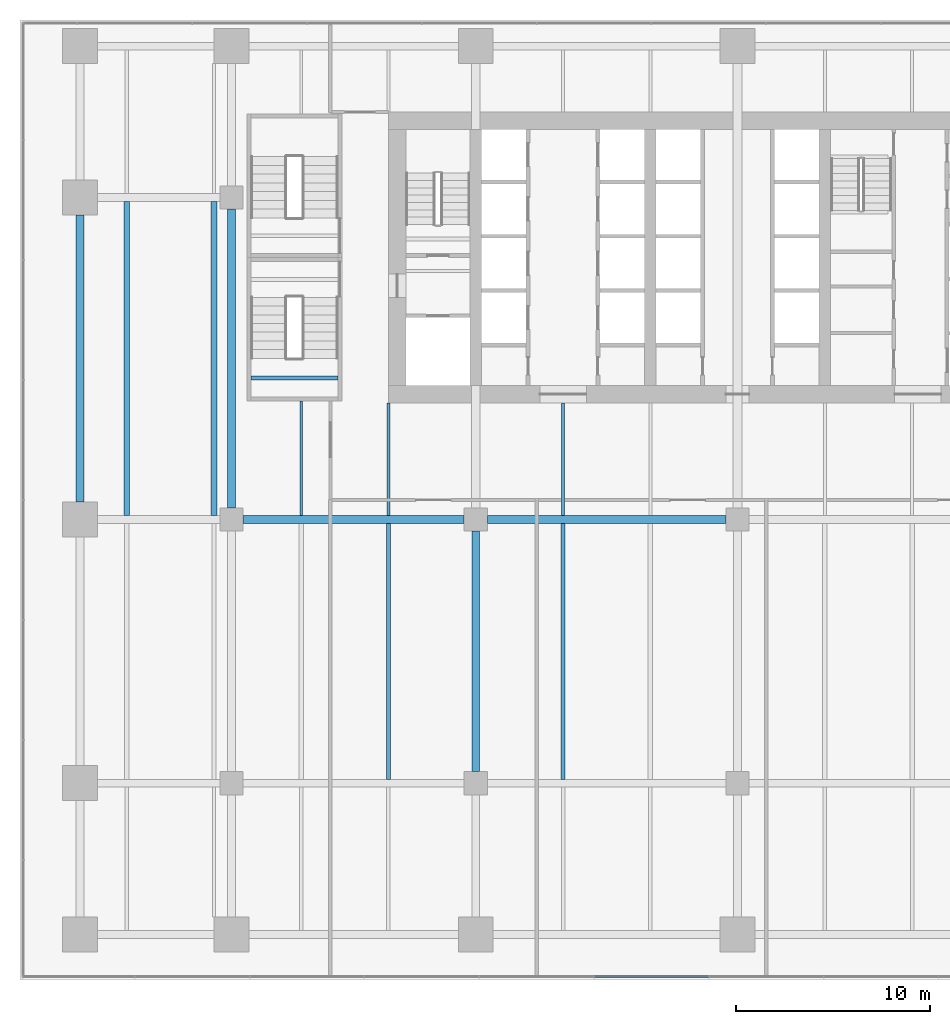
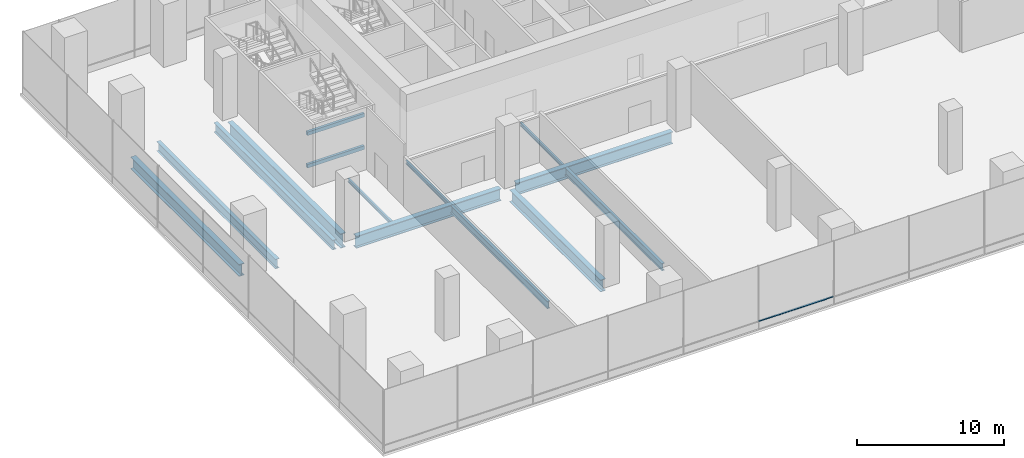
# One storey, part 5 of 26: 14 beams, 1 member, 1 element without a shape of its own.
"""IFC4 building model written with IfcOpenShell, lengths in metres."""

from ifc_helpers import new_model, si_unit, direction, frame, origin, origin_2d, place, context, subcontext, project, spatial, rectangle, i_section, extrude, material, layer, layer_set, material_profile, profile_set, type_object, element, aggregate, save


model = new_model("IFC4")

# Units and contexts
model_context = context("Model", 3, precision=1e-05, world=origin(), true_north=direction((0.0, 1.0)))
body_context = subcontext(model_context, "Body", "Model", "MODEL_VIEW")
ifc_project = project(units=[si_unit("LENGTHUNIT", "METRE"), si_unit("AREAUNIT", "SQUARE_METRE"), si_unit("VOLUMEUNIT", "CUBIC_METRE"), si_unit("PLANEANGLEUNIT", "RADIAN"), si_unit("MASSUNIT", "GRAM", prefix="KILO")], contexts=[model_context])

# Site, building, storey
site_placement = place(None, origin())
site = spatial("IfcSite", under=ifc_project, at=site_placement, CompositionType="ELEMENT")
building_placement = place(site_placement, origin())
building = spatial("IfcBuilding", under=site, at=building_placement, Name="Rattan Terrace Tower", CompositionType="ELEMENT")
storey_placement = place(building_placement, frame((0.0, 0.0, 7.199951171875)))
storey = spatial("IfcBuildingStorey", under=building, at=storey_placement, Name="L01", CompositionType="ELEMENT", Elevation=7.199951171875)

# Beams
ifc_material_1 = material(Name="Concrete C40/50", Category="concrete")
ifc_material_profile_1 = material_profile(ifc_material_1, rectangle(XDim=0.199951171875, YDim=0.300048828125, at=origin_2d()), Name="RC 200x300")
ifc_profile_set_1 = profile_set([ifc_material_profile_1], Name="Concrete C40/50")
beam_type_1 = type_object("IfcBeamType", Name="Core landing beam RC 200x300", PredefinedType="BEAM", material=ifc_profile_set_1)
for number, where, z_axis, x_axis, name in (
    (1, (-25.10009765625, -6.199951171875, 1.0), (1.0, 0.0, 0.0), (0.0, 1.0, 0.0), "st-S4-L01 landing 1 edge beam"),
    (2, (-25.10009765625, -6.199951171875, 3.699951171875), (1.0, 0.0, 0.0), (0.0, 1.0, 0.0), "st-S4-L01 landing 3 edge beam"),
):
    element("IfcBeam", number, at=place(storey_placement, frame(where, z_axis=z_axis, x_axis=x_axis)), inside=storey, type_object=beam_type_1, Name=name, PredefinedType="BEAM", context=body_context, shape_type="SweptSolid", body=[
        extrude(rectangle(XDim=0.199951171875, YDim=0.300048828125, at=origin_2d()), origin(), (0.0, 0.0, 1.0), 4.5),
    ])
ifc_material_2 = material(Name="Steel S355", Category="steel")
ifc_material_profile_2 = material_profile(ifc_material_2, i_section(OverallWidth=0.300048828125, OverallDepth=0.800048828125, WebThickness=0.017578125, FlangeThickness=0.032958984375, FilletRadius=0.030029296875, at=origin_2d()), Name="HE 800 B")
ifc_profile_set_2 = profile_set([ifc_material_profile_2], Name="Steel S355")
beam_type_2 = type_object("IfcBeamType", Name="Frame floor beam HE 800 B", PredefinedType="JOIST", material=ifc_profile_set_2)
for number, where, z_axis, x_axis, name in (
    (3, (-31.5, -13.300048828125, -0.599853515625), (0.0, 1.0, 0.0), (-1.0, 0.0, 0.0), "bm-L01-027"),
    (4, (-27.0, -13.300048828125, -0.599853515625), (0.0, 1.0, 0.0), (-1.0, 0.0, 0.0), "bm-L01-028"),
):
    element("IfcBeam", number, at=place(storey_placement, frame(where, z_axis=z_axis, x_axis=x_axis)), inside=storey, type_object=beam_type_2, Name=name, PredefinedType="JOIST", context=body_context, shape_type="SweptSolid", body=[
        extrude(i_section(OverallWidth=0.300048828125, OverallDepth=0.800048828125, WebThickness=0.017578125, FlangeThickness=0.032958984375, FilletRadius=0.030029296875, at=origin_2d()), origin(), (0.0, 0.0, 1.0), 16.199951171875),
    ])
ifc_material_3 = material(Name="Steel S355", Category="steel")
ifc_material_profile_3 = material_profile(ifc_material_3, i_section(OverallWidth=0.14990234375, OverallDepth=0.300048828125, WebThickness=0.007080078125, FlangeThickness=0.0107421875, FilletRadius=0.014892578125, at=origin_2d()), Name="IPE 300")
ifc_profile_set_3 = profile_set([ifc_material_profile_3], Name="Steel S355")
beam_type_3 = type_object("IfcBeamType", Name="Frame floor beam IPE 300", PredefinedType="JOIST", material=ifc_profile_set_3)
beam_1_placement = place(storey_placement, frame((-22.5, -13.300048828125, -0.349853515625), z_axis=(0.0, 1.0, 0.0), x_axis=(-1.0, 0.0, 0.0)))
element("IfcBeam", 5, at=beam_1_placement, inside=storey, type_object=beam_type_3, Name="bm-L01-029", PredefinedType="JOIST", context=body_context, shape_type="SweptSolid", body=[
    extrude(i_section(OverallWidth=0.14990234375, OverallDepth=0.300048828125, WebThickness=0.007080078125, FlangeThickness=0.0107421875, FilletRadius=0.014892578125, at=origin_2d()), origin(), (0.0, 0.0, 1.0), 5.900146484375),
])
for number, where, z_axis, x_axis, name in (
    (6, (-18.0, -13.300048828125, -0.349853515625), (0.0, 1.0, 0.0), (-1.0, 0.0, 0.0), "bm-L01-030"),
    (7, (-9.0, -13.300048828125, -0.349853515625), (0.0, 1.0, 0.0), (-1.0, 0.0, 0.0), "bm-L01-031"),
):
    element("IfcBeam", number, at=place(storey_placement, frame(where, z_axis=z_axis, x_axis=x_axis)), inside=storey, type_object=beam_type_3, Name=name, PredefinedType="JOIST", context=body_context, shape_type="SweptSolid", body=[
        extrude(i_section(OverallWidth=0.14990234375, OverallDepth=0.300048828125, WebThickness=0.007080078125, FlangeThickness=0.0107421875, FilletRadius=0.014892578125, at=origin_2d()), origin(), (0.0, 0.0, 1.0), 5.800048828125),
    ])
ifc_material_4 = material(Name="Steel S355", Category="steel")
ifc_material_profile_4 = material_profile(ifc_material_4, i_section(OverallWidth=0.22412109375, OverallDepth=0.610107421875, WebThickness=0.014892578125, FlangeThickness=0.02392578125, FilletRadius=0.02392578125, at=origin_2d()), Name="IPE O 600")
ifc_profile_set_4 = profile_set([ifc_material_profile_4], Name="Steel S355")
beam_type_4 = type_object("IfcBeamType", Name="Frame floor beam IPE O 600", PredefinedType="JOIST", material=ifc_profile_set_4)
for number, where, z_axis, x_axis, name in (
    (8, (-18.0, -26.89990234375, -0.5048828125), (0.0, 1.0, 0.0), (-1.0, 0.0, 0.0), "bm-L01-018"),
    (9, (-9.0, -26.89990234375, -0.5048828125), (0.0, 1.0, 0.0), (-1.0, 0.0, 0.0), "bm-L01-019"),
):
    element("IfcBeam", number, at=place(storey_placement, frame(where, z_axis=z_axis, x_axis=x_axis)), inside=storey, type_object=beam_type_4, Name=name, PredefinedType="JOIST", context=body_context, shape_type="SweptSolid", body=[
        extrude(i_section(OverallWidth=0.22412109375, OverallDepth=0.610107421875, WebThickness=0.014892578125, FlangeThickness=0.02392578125, FilletRadius=0.02392578125, at=origin_2d()), origin(), (0.0, 0.0, 1.0), 13.199951171875),
    ])
ifc_material_5 = material(Name="Steel S460", Category="steel")
ifc_material_profile_5 = material_profile(ifc_material_5, i_section(OverallWidth=0.39990234375, OverallDepth=1.0, WebThickness=0.01806640625, FlangeThickness=0.044921875, at=origin_2d()), Name="PG 1000x400-18-45")
ifc_profile_set_5 = profile_set([ifc_material_profile_5], Name="Steel S460")
beam_type_5 = type_object("IfcBeamType", Name="Frame podium girder PG 1000x400-18-45", PredefinedType="USERDEFINED", material=ifc_profile_set_5)
beam_2_placement = place(storey_placement, frame((-13.5, -26.5, -0.699951171875), z_axis=(0.0, 1.0, 0.0), x_axis=(-1.0, 0.0, 0.0)))
element("IfcBeam", 10, at=beam_2_placement, inside=storey, type_object=beam_type_5, Name="gdr-L01-021", ObjectType="PODIUM GIRDER", PredefinedType="USERDEFINED", context=body_context, shape_type="SweptSolid", body=[
    extrude(i_section(OverallWidth=0.39990234375, OverallDepth=1.0, WebThickness=0.01806640625, FlangeThickness=0.044921875, at=origin_2d()), origin(), (0.0, 0.0, 1.0), 12.39990234375),
])
beam_3_placement = place(storey_placement, frame((-25.5, -13.5, -0.699951171875), z_axis=(1.0, 0.0, 0.0), x_axis=(0.0, 1.0, 0.0)))
element("IfcBeam", 11, at=beam_3_placement, inside=storey, type_object=beam_type_5, Name="gdr-L01-028", ObjectType="PODIUM GIRDER", PredefinedType="USERDEFINED", context=body_context, shape_type="SweptSolid", body=[
    extrude(i_section(OverallWidth=0.39990234375, OverallDepth=1.0, WebThickness=0.01806640625, FlangeThickness=0.044921875, at=origin_2d()), origin(), (0.0, 0.0, 1.0), 11.39990234375),
])
beam_4_placement = place(storey_placement, frame((-12.89990234375, -13.5, -0.699951171875), z_axis=(1.0, 0.0, 0.0), x_axis=(0.0, 1.0, 0.0)))
element("IfcBeam", 12, at=beam_4_placement, inside=storey, type_object=beam_type_5, Name="gdr-L01-029", ObjectType="PODIUM GIRDER", PredefinedType="USERDEFINED", context=body_context, shape_type="SweptSolid", body=[
    extrude(i_section(OverallWidth=0.39990234375, OverallDepth=1.0, WebThickness=0.01806640625, FlangeThickness=0.044921875, at=origin_2d()), origin(), (0.0, 0.0, 1.0), 12.2998046875),
])
beam_5_placement = place(storey_placement, frame((-33.89990234375, -12.60009765625, -0.699951171875), z_axis=(0.0, 1.0, 0.0), x_axis=(-1.0, 0.0, 0.0)))
element("IfcBeam", 13, at=beam_5_placement, inside=storey, type_object=beam_type_5, Name="gdr-L01-038", ObjectType="PODIUM GIRDER", PredefinedType="USERDEFINED", context=body_context, shape_type="SweptSolid", body=[
    extrude(i_section(OverallWidth=0.39990234375, OverallDepth=1.0, WebThickness=0.01806640625, FlangeThickness=0.044921875, at=origin_2d()), origin(), (0.0, 0.0, 1.0), 14.800048828125),
])
ifc_material_6 = material(Name="Steel S460", Category="steel")
ifc_material_profile_6 = material_profile(ifc_material_6, i_section(OverallWidth=0.39990234375, OverallDepth=1.199951171875, WebThickness=0.02001953125, FlangeThickness=0.050048828125, at=origin_2d()), Name="PG 1200x400-20-50")
ifc_profile_set_6 = profile_set([ifc_material_profile_6], Name="Steel S460")
beam_type_6 = type_object("IfcBeamType", Name="Frame podium girder PG 1200x400-20-50", PredefinedType="USERDEFINED", material=ifc_profile_set_6)
beam_6_placement = place(storey_placement, frame((-26.10009765625, -12.89990234375, -0.800048828125), z_axis=(0.0, 1.0, 0.0), x_axis=(-1.0, 0.0, 0.0)))
element("IfcBeam", 14, at=beam_6_placement, inside=storey, type_object=beam_type_6, Name="gdr-L01-033", ObjectType="PODIUM GIRDER", PredefinedType="USERDEFINED", context=body_context, shape_type="SweptSolid", body=[
    extrude(i_section(OverallWidth=0.39990234375, OverallDepth=1.199951171875, WebThickness=0.02001953125, FlangeThickness=0.050048828125, at=origin_2d()), origin(), (0.0, 0.0, 1.0), 15.39990234375),
])

# Curtain wall, member
ifc_material_7 = material(Name="Aluminium and glass", Category="aluminium")
ifc_layer = layer(ifc_material_7, 0.1201171875)
ifc_layer_set = layer_set([ifc_layer], Name="Station Storefront Curtain Wall")
curtain_wall_type = type_object("IfcCurtainWallType", Name="Station Storefront Curtain Wall", PredefinedType="NOTDEFINED", material=ifc_layer_set)
curtain_wall_placement = place(storey_placement, origin())
curtain_wall = element("IfcCurtainWall", 15, at=curtain_wall_placement, inside=storey, type_object=curtain_wall_type, Name="Storefront curtain wall L01-4", PredefinedType="NOTDEFINED")
ifc_material_8 = material(Name="Aluminium", Category="aluminium")
ifc_material_profile_7 = material_profile(ifc_material_8, rectangle(XDim=0.10009765625, YDim=0.050048828125, at=origin_2d()), Name="Aluminium 100x50")
ifc_profile_set_7 = profile_set([ifc_material_profile_7], Name="Aluminium")
member_type = type_object("IfcMemberType", Name="Storefront CW Transom 100x50", PredefinedType="USERDEFINED", material=ifc_profile_set_7)
member_placement = place(storey_placement, frame((-7.375, -37.080078125, 0.60009765625), z_axis=(1.0, 0.0, 0.0), x_axis=(0.0, 1.0, 0.0)))
member = element("IfcMember", 16, at=member_placement, type_object=member_type, Name="Transom cwl-L01-004.6", ObjectType="TRANSOM", PredefinedType="USERDEFINED", context=body_context, shape_type="SweptSolid", body=[
    extrude(rectangle(XDim=0.10009765625, YDim=0.050048828125, at=origin_2d()), origin(), (0.0, 0.0, 1.0), 5.8701171875),
])
aggregate(curtain_wall, [member])

save(model, "model.ifc")
